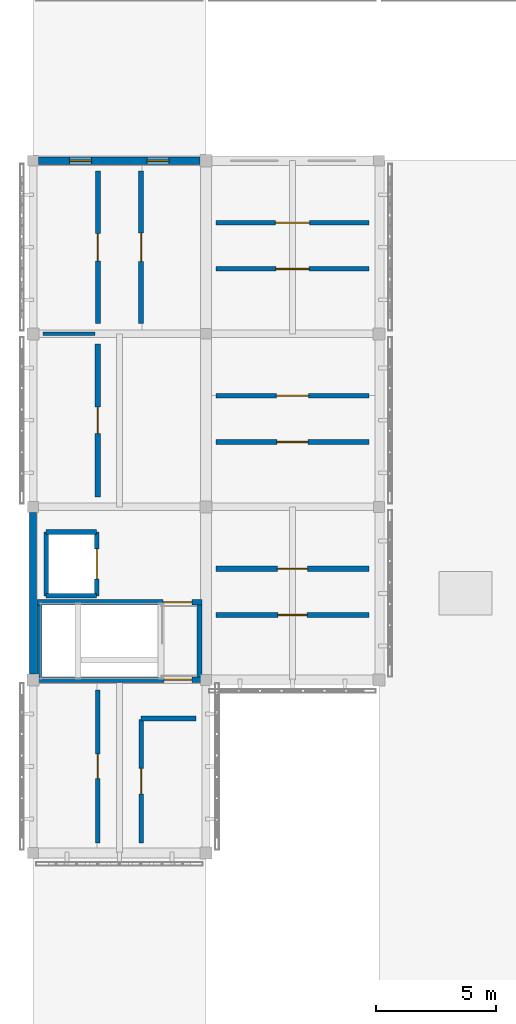
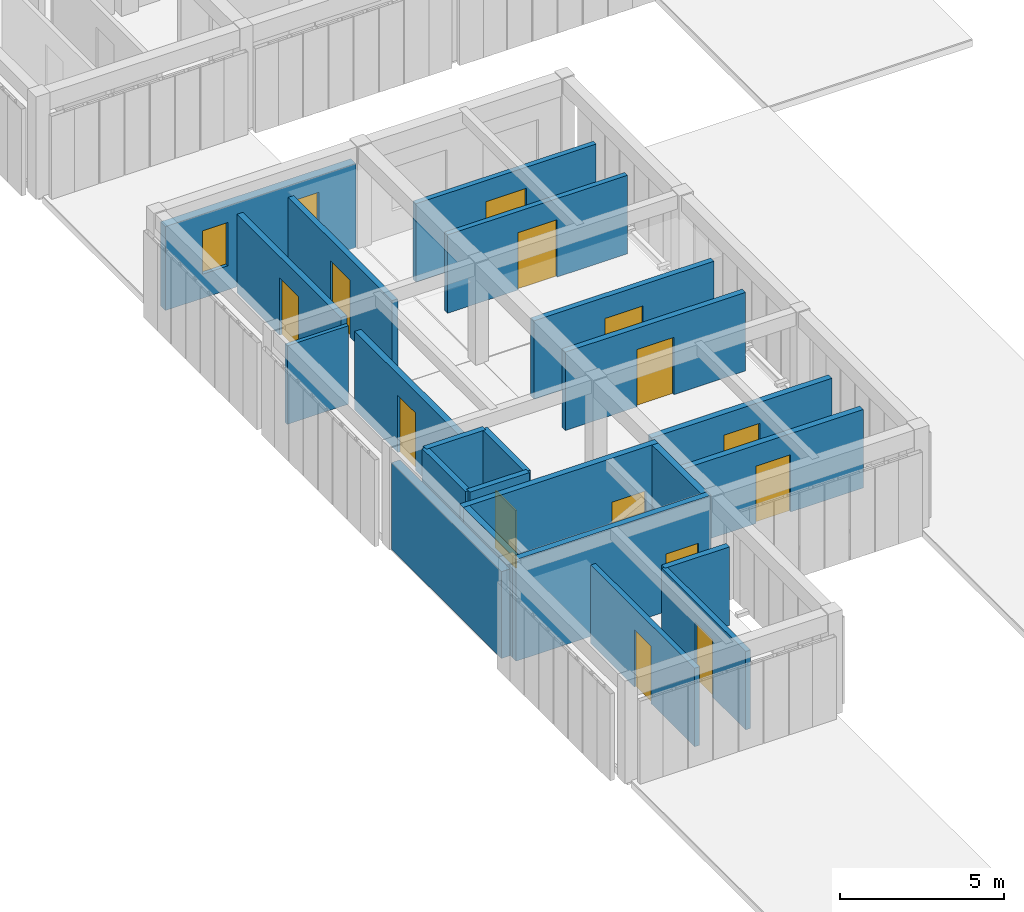
# One storey, part 52 of 67: 23 walls, 14 doors, 2 windows, 16 openings.
"""IFC4 building model written with IfcOpenShell, lengths in metres."""

from ifc_helpers import new_model, si_unit, direction, frame, frame_2d, origin, place, context, subcontext, project, spatial, rectangle, extrude, material, layer, layer_set, type_object, element, fill, save


model = new_model("IFC4")

# Units and contexts
model_context = context("Model", 3, precision=1e-05, world=origin(), true_north=direction((0.0, 1.0)))
body_context = subcontext(model_context, "Body", "Model", "MODEL_VIEW")
ifc_project = project(units=[si_unit("LENGTHUNIT", "METRE"), si_unit("AREAUNIT", "SQUARE_METRE"), si_unit("VOLUMEUNIT", "CUBIC_METRE"), si_unit("PLANEANGLEUNIT", "RADIAN"), si_unit("MASSUNIT", "GRAM", prefix="KILO")], contexts=[model_context])

# Site, building, storey
site_placement = place(None, origin())
site = spatial("IfcSite", under=ifc_project, at=site_placement, CompositionType="ELEMENT")
building_placement = place(site_placement, origin())
building = spatial("IfcBuilding", under=site, at=building_placement, Name="Aldebral Square Health Centre", CompositionType="ELEMENT")
storey_placement = place(building_placement, frame((0.0, 0.0, 13.5)))
storey = spatial("IfcBuildingStorey", under=building, at=storey_placement, Name="L03", CompositionType="ELEMENT", Elevation=13.5)

# Wall
ifc_material_1 = material(Name="Precast concrete C40/50 insulated panel", Category="concrete")
ifc_layer_1 = layer(ifc_material_1, 0.300048828125, Name="Precast concrete C40/50 insulated panel", Category="concrete")
ifc_layer_set_1 = layer_set([ifc_layer_1], Name="Precast concrete C40/50 insulated panel")
wall_type_1 = type_object("IfcWallType", Name="EW-PRE-300", PredefinedType="STANDARD", material=ifc_layer_set_1)
wall_1_placement = place(storey_placement, frame((0.0, 35.77490234375, 0.0), z_axis=(0.0, 0.0, 1.0), x_axis=(0.0, -1.0, 0.0)))
element("IfcWall", 1, at=wall_1_placement, inside=storey, type_object=wall_type_1, Name="L03 V6 exterior wall L03-V6-00-04-W", PredefinedType="STANDARD", context=body_context, shape_type="SweptSolid", body=[
    extrude(rectangle(XDim=6.724853515625, YDim=0.300048828125, at=frame_2d((3.3623046875, 0.0))), origin(), (0.0, 0.0, 1.0), 3.239990234375),
])

# Wall, openings, windows
wall_2_placement = place(storey_placement, frame((6.949951171875, 50.39990234375, 0.0), z_axis=(0.0, 0.0, 1.0), x_axis=(-1.0, 0.0, 0.0)))
wall_2 = element("IfcWall", 2, at=wall_2_placement, inside=storey, type_object=wall_type_1, Name="L03 V6 exterior wall L03-V6-00-06-N", PredefinedType="STANDARD", context=body_context, shape_type="SweptSolid", body=[
    extrude(rectangle(XDim=6.724853515625, YDim=0.300048828125, at=frame_2d((3.3623046875, 0.0))), origin(), (0.0, 0.0, 1.0), 3.139892578125),
])
opening_1_placement = place(wall_2_placement, frame((1.300048828125, 0.0, 0.89990234375)))
opening_1 = element("IfcOpeningElement", 3, at=opening_1_placement, cuts=wall_2, Name="Opening W28", PredefinedType="OPENING", context=body_context, shape_type="SweptSolid", body=[
    extrude(rectangle(XDim=0.89990234375, YDim=1.6201171875, at=frame_2d((0.449951171875, 0.81005859375))), frame((0.0, 0.16015625, 0.0), z_axis=(0.0, -1.0, 0.0), x_axis=(1.0, 0.0, 0.0)), (0.0, 0.0, 1.0), 0.320068359375),
])
opening_2_placement = place(wall_2_placement, frame((4.52490234375, 0.0, 0.89990234375)))
opening_2 = element("IfcOpeningElement", 4, at=opening_2_placement, cuts=wall_2, Name="Opening W28", PredefinedType="OPENING", context=body_context, shape_type="SweptSolid", body=[
    extrude(rectangle(XDim=0.89990234375, YDim=1.6201171875, at=frame_2d((0.449951171875, 0.81005859375))), frame((0.0, 0.16015625, 0.0), z_axis=(0.0, -1.0, 0.0), x_axis=(1.0, 0.0, 0.0)), (0.0, 0.0, 1.0), 0.320068359375),
])
ifc_material_2 = material(Name="Thermally broken aluminium and low-E glass", Category="aluminium")
window_type = type_object("IfcWindowType", Name="WIN-W28", PartitioningType="SINGLE_PANEL", PredefinedType="WINDOW", material=ifc_material_2)
window_1_placement = place(opening_1_placement, origin())
window_1 = element("IfcWindow", 5, at=window_1_placement, inside=storey, type_object=window_type, Name="L03 clinical window L03-V6-00-06-N.1", OverallHeight=1.6201171875, OverallWidth=0.89990234375, PartitioningType="SINGLE_PANEL", PredefinedType="WINDOW", context=body_context, shape_type="SweptSolid", body=[
    extrude(rectangle(XDim=0.89990234375, YDim=1.6201171875, at=frame_2d((0.449951171875, 0.81005859375))), frame((0.0, 0.030029296875, 0.0), z_axis=(0.0, -1.0, 0.0), x_axis=(1.0, 0.0, 0.0)), (0.0, 0.0, 1.0), 0.06005859375),
])
fill(opening_1, window_1)
window_2_placement = place(opening_2_placement, origin())
window_2 = element("IfcWindow", 6, at=window_2_placement, inside=storey, type_object=window_type, Name="L03 clinical window L03-V6-00-06-N.2", OverallHeight=1.6201171875, OverallWidth=0.89990234375, PartitioningType="SINGLE_PANEL", PredefinedType="WINDOW", context=body_context, shape_type="SweptSolid", body=[
    extrude(rectangle(XDim=0.89990234375, YDim=1.6201171875, at=frame_2d((0.449951171875, 0.81005859375))), frame((0.0, 0.030029296875, 0.0), z_axis=(0.0, -1.0, 0.0), x_axis=(1.0, 0.0, 0.0)), (0.0, 0.0, 1.0), 0.06005859375),
])
fill(opening_2, window_2)

# Wall, opening, door
ifc_material_3 = material(Name="Concrete C35/45 compartment wall", Category="concrete")
ifc_layer_2 = layer(ifc_material_3, 0.199951171875, Name="Concrete C35/45 compartment wall", Category="concrete")
ifc_layer_set_2 = layer_set([ifc_layer_2], Name="Concrete C35/45 compartment wall")
wall_type_2 = type_object("IfcWallType", Name="IW-CMP-200", PredefinedType="SOLIDWALL", material=ifc_layer_set_2)
wall_3_placement = place(storey_placement, frame((4.5, 43.6201171875, 0.0), z_axis=(0.0, 0.0, 1.0), x_axis=(0.0, 1.0, 0.0)))
wall_3 = element("IfcWall", 7, at=wall_3_placement, inside=storey, type_object=wall_type_2, Name="L03 Health Education Studio 1.7E corridor wall", PredefinedType="SOLIDWALL", context=body_context, shape_type="SweptSolid", body=[
    extrude(rectangle(XDim=6.35986328125, YDim=0.199951171875, at=frame_2d((3.179931640625, 0.0))), origin(), (0.0, 0.0, 1.0), 2.929931640625),
])
opening_3_placement = place(wall_3_placement, frame((2.590087890625, 0.0, 0.0)))
opening_3 = element("IfcOpeningElement", 8, at=opening_3_placement, cuts=wall_3, Name="Opening D-0606", PredefinedType="OPENING", context=body_context, shape_type="SweptSolid", body=[
    extrude(rectangle(XDim=1.179931640625, YDim=2.139892578125, at=frame_2d((0.58984375, 1.06982421875))), frame((0.0, 0.10986328125, 0.0), z_axis=(0.0, -1.0, 0.0), x_axis=(1.0, 0.0, 0.0)), (0.0, 0.0, 1.0), 0.219970703125),
])
ifc_material_4 = material(Name="Clinical suite fire door")
door_type_1 = type_object("IfcDoorType", Name="ID-EXD-39", OperationType="NOTDEFINED", PredefinedType="DOOR", material=ifc_material_4)
door_1_placement = place(opening_3_placement, origin())
door_1 = element("IfcDoor", 9, at=door_1_placement, inside=storey, type_object=door_type_1, Name="L03 Health Education Studio 1.7E door", OperationType="SINGLE_SWING_LEFT", OverallHeight=2.139892578125, OverallWidth=1.179931640625, PredefinedType="DOOR", context=body_context, shape_type="SweptSolid", body=[
    extrude(rectangle(XDim=1.179931640625, YDim=2.139892578125, at=frame_2d((0.58984375, 1.06982421875))), frame((0.0, 0.02490234375, 0.0), z_axis=(0.0, -1.0, 0.0), x_axis=(1.0, 0.0, 0.0)), (0.0, 0.0, 1.0), 0.050048828125),
])
fill(opening_3, door_1)

wall_4_placement = place(storey_placement, frame((7.6201171875, 40.6201171875, 0.0), z_axis=(0.0, 0.0, 1.0), x_axis=(1.0, 0.0, 0.0)))
wall_4 = element("IfcWall", 10, at=wall_4_placement, inside=storey, type_object=wall_type_2, Name="L03 Health Education Studio 2.6N corridor wall", PredefinedType="SOLIDWALL", context=body_context, shape_type="SweptSolid", body=[
    extrude(rectangle(XDim=6.35986328125, YDim=0.199951171875, at=frame_2d((3.179931640625, 0.0))), origin(), (0.0, 0.0, 1.0), 2.929931640625),
])
opening_4_placement = place(wall_4_placement, frame((2.510009765625, 0.0, 0.0)))
opening_4 = element("IfcOpeningElement", 11, at=opening_4_placement, cuts=wall_4, Name="Opening D-0610", PredefinedType="OPENING", context=body_context, shape_type="SweptSolid", body=[
    extrude(rectangle(XDim=1.340087890625, YDim=2.139892578125, at=frame_2d((0.669921875, 1.06982421875))), frame((0.0, 0.10986328125, 0.0), z_axis=(0.0, -1.0, 0.0), x_axis=(1.0, 0.0, 0.0)), (0.0, 0.0, 1.0), 0.219970703125),
])
door_type_2 = type_object("IfcDoorType", Name="ID-EXD-43", OperationType="NOTDEFINED", PredefinedType="DOOR", material=ifc_material_4)
door_2_placement = place(opening_4_placement, origin())
door_2 = element("IfcDoor", 12, at=door_2_placement, inside=storey, type_object=door_type_2, Name="L03 Health Education Studio 2.6N door", OperationType="SINGLE_SWING_LEFT", OverallHeight=2.139892578125, OverallWidth=1.340087890625, PredefinedType="DOOR", context=body_context, shape_type="SweptSolid", body=[
    extrude(rectangle(XDim=1.340087890625, YDim=2.139892578125, at=frame_2d((0.669921875, 1.06982421875))), frame((0.0, 0.02490234375, 0.0), z_axis=(0.0, -1.0, 0.0), x_axis=(1.0, 0.0, 0.0)), (0.0, 0.0, 1.0), 0.050048828125),
])
fill(opening_4, door_2)

ifc_layer_3 = layer(ifc_material_3, 0.219970703125, Name="Concrete C35/45 compartment wall", Category="concrete")
ifc_layer_set_3 = layer_set([ifc_layer_3], Name="Concrete C35/45 compartment wall")
wall_type_3 = type_object("IfcWallType", Name="IW-CMP-220", PredefinedType="SOLIDWALL", material=ifc_layer_set_3)
wall_5_placement = place(storey_placement, frame((2.699951171875, 36.419921875, 0.0), z_axis=(0.0, 0.0, 1.0), x_axis=(0.0, 1.0, 0.0)))
wall_5 = element("IfcWall", 13, at=wall_5_placement, inside=storey, type_object=wall_type_3, Name="L03 Community Outreach Office 1.6W corridor wall", PredefinedType="SOLIDWALL", context=body_context, shape_type="SweptSolid", body=[
    extrude(rectangle(XDim=6.360107421875, YDim=0.219970703125, at=frame_2d((3.18017578125, 0.0))), origin(), (0.0, 0.0, 1.0), 2.929931640625),
])
opening_5_placement = place(wall_5_placement, frame((2.6298828125, 0.0, 0.0)))
opening_5 = element("IfcOpeningElement", 14, at=opening_5_placement, cuts=wall_5, Name="Opening D-0604", PredefinedType="OPENING", context=body_context, shape_type="SweptSolid", body=[
    extrude(rectangle(XDim=1.10009765625, YDim=2.139892578125, at=frame_2d((0.550048828125, 1.06982421875))), frame((0.0, 0.1201171875, 0.0), z_axis=(0.0, -1.0, 0.0), x_axis=(1.0, 0.0, 0.0)), (0.0, 0.0, 1.0), 0.239990234375),
])
door_type_3 = type_object("IfcDoorType", Name="ID-EXD-37", OperationType="NOTDEFINED", PredefinedType="DOOR", material=ifc_material_4)
door_3_placement = place(opening_5_placement, origin())
door_3 = element("IfcDoor", 15, at=door_3_placement, inside=storey, type_object=door_type_3, Name="L03 Community Outreach Office 1.6W door", OperationType="SINGLE_SWING_LEFT", OverallHeight=2.139892578125, OverallWidth=1.10009765625, PredefinedType="DOOR", context=body_context, shape_type="SweptSolid", body=[
    extrude(rectangle(XDim=1.10009765625, YDim=2.139892578125, at=frame_2d((0.550048828125, 1.06982421875))), frame((0.0, 0.02490234375, 0.0), z_axis=(0.0, -1.0, 0.0), x_axis=(1.0, 0.0, 0.0)), (0.0, 0.0, 1.0), 0.050048828125),
])
fill(opening_5, door_3)

wall_6_placement = place(storey_placement, frame((7.6201171875, 31.5, 0.0), z_axis=(0.0, 0.0, 1.0), x_axis=(1.0, 0.0, 0.0)))
wall_6 = element("IfcWall", 16, at=wall_6_placement, inside=storey, type_object=wall_type_3, Name="L03 Medical Reference Library 2.5S corridor wall", PredefinedType="SOLIDWALL", context=body_context, shape_type="SweptSolid", body=[
    extrude(rectangle(XDim=6.35986328125, YDim=0.219970703125, at=frame_2d((3.179931640625, 0.0))), origin(), (0.0, 0.0, 1.0), 2.929931640625),
])
opening_6_placement = place(wall_6_placement, frame((2.570068359375, 0.0, 0.0)))
opening_6 = element("IfcOpeningElement", 17, at=opening_6_placement, cuts=wall_6, Name="Opening D-0607", PredefinedType="OPENING", context=body_context, shape_type="SweptSolid", body=[
    extrude(rectangle(XDim=1.219970703125, YDim=2.139892578125, at=frame_2d((0.60986328125, 1.06982421875))), frame((0.0, 0.1201171875, 0.0), z_axis=(0.0, -1.0, 0.0), x_axis=(1.0, 0.0, 0.0)), (0.0, 0.0, 1.0), 0.239990234375),
])
door_type_4 = type_object("IfcDoorType", Name="ID-EXD-40", OperationType="NOTDEFINED", PredefinedType="DOOR", material=ifc_material_4)
door_4_placement = place(opening_6_placement, origin())
door_4 = element("IfcDoor", 18, at=door_4_placement, inside=storey, type_object=door_type_4, Name="L03 Medical Reference Library 2.5S door", OperationType="SINGLE_SWING_RIGHT", OverallHeight=2.139892578125, OverallWidth=1.219970703125, PredefinedType="DOOR", context=body_context, shape_type="SweptSolid", body=[
    extrude(rectangle(XDim=1.219970703125, YDim=2.139892578125, at=frame_2d((0.60986328125, 1.06982421875))), frame((0.0, 0.02490234375, 0.0), z_axis=(0.0, -1.0, 0.0), x_axis=(1.0, 0.0, 0.0)), (0.0, 0.0, 1.0), 0.050048828125),
])
fill(opening_6, door_4)

wall_7_placement = place(storey_placement, frame((7.6201171875, 33.419921875, 0.0), z_axis=(0.0, 0.0, 1.0), x_axis=(1.0, 0.0, 0.0)))
wall_7 = element("IfcWall", 19, at=wall_7_placement, inside=storey, type_object=wall_type_3, Name="L03 Community Outreach Office 2.5N corridor wall", PredefinedType="SOLIDWALL", context=body_context, shape_type="SweptSolid", body=[
    extrude(rectangle(XDim=6.35986328125, YDim=0.219970703125, at=frame_2d((3.179931640625, 0.0))), origin(), (0.0, 0.0, 1.0), 2.929931640625),
])
opening_7_placement = place(wall_7_placement, frame((2.550048828125, 0.0, 0.0)))
opening_7 = element("IfcOpeningElement", 20, at=opening_7_placement, cuts=wall_7, Name="Opening D-0608", PredefinedType="OPENING", context=body_context, shape_type="SweptSolid", body=[
    extrude(rectangle(XDim=1.260009765625, YDim=2.139892578125, at=frame_2d((0.6298828125, 1.06982421875))), frame((0.0, 0.1201171875, 0.0), z_axis=(0.0, -1.0, 0.0), x_axis=(1.0, 0.0, 0.0)), (0.0, 0.0, 1.0), 0.239990234375),
])
door_type_5 = type_object("IfcDoorType", Name="ID-EXD-41", OperationType="NOTDEFINED", PredefinedType="DOOR", material=ifc_material_4)
door_5_placement = place(opening_7_placement, origin())
door_5 = element("IfcDoor", 21, at=door_5_placement, inside=storey, type_object=door_type_5, Name="L03 Community Outreach Office 2.5N door", OperationType="SINGLE_SWING_LEFT", OverallHeight=2.139892578125, OverallWidth=1.260009765625, PredefinedType="DOOR", context=body_context, shape_type="SweptSolid", body=[
    extrude(rectangle(XDim=1.260009765625, YDim=2.139892578125, at=frame_2d((0.6298828125, 1.06982421875))), frame((0.0, 0.02490234375, 0.0), z_axis=(0.0, -1.0, 0.0), x_axis=(1.0, 0.0, 0.0)), (0.0, 0.0, 1.0), 0.050048828125),
])
fill(opening_7, door_5)

ifc_material_5 = material(Name="Fire-rated acoustic gypsum partition")
ifc_layer_4 = layer(ifc_material_5, 0.179931640625, Name="Fire-rated acoustic gypsum partition")
ifc_layer_set_4 = layer_set([ifc_layer_4], Name="Fire-rated acoustic gypsum partition")
wall_type_4 = type_object("IfcWallType", Name="IW-COR-180", PredefinedType="PARTITIONING", material=ifc_layer_set_4)
wall_8_placement = place(storey_placement, frame((2.699951171875, 22.02001953125, 0.0), z_axis=(0.0, 0.0, 1.0), x_axis=(0.0, 1.0, 0.0)))
wall_8 = element("IfcWall", 22, at=wall_8_placement, inside=storey, type_object=wall_type_4, Name="L03 Health Education Studio 1.4W corridor wall", PredefinedType="PARTITIONING", context=body_context, shape_type="SweptSolid", body=[
    extrude(rectangle(XDim=6.35986328125, YDim=0.179931640625, at=frame_2d((3.179931640625, 0.0))), origin(), (0.0, 0.0, 1.0), 2.929931640625),
])
opening_8_placement = place(wall_8_placement, frame((2.669921875, 0.0, 0.0)))
opening_8 = element("IfcOpeningElement", 23, at=opening_8_placement, cuts=wall_8, Name="Opening D-0602", PredefinedType="OPENING", context=body_context, shape_type="SweptSolid", body=[
    extrude(rectangle(XDim=1.02001953125, YDim=2.139892578125, at=frame_2d((0.510009765625, 1.06982421875))), frame((0.0, 0.10009765625, 0.0), z_axis=(0.0, -1.0, 0.0), x_axis=(1.0, 0.0, 0.0)), (0.0, 0.0, 1.0), 0.199951171875),
])
door_type_6 = type_object("IfcDoorType", Name="ID-EXD-35", OperationType="NOTDEFINED", PredefinedType="DOOR", material=ifc_material_4)
door_6_placement = place(opening_8_placement, origin())
door_6 = element("IfcDoor", 24, at=door_6_placement, inside=storey, type_object=door_type_6, Name="L03 Health Education Studio 1.4W door", OperationType="SINGLE_SWING_LEFT", OverallHeight=2.139892578125, OverallWidth=1.02001953125, PredefinedType="DOOR", context=body_context, shape_type="SweptSolid", body=[
    extrude(rectangle(XDim=1.02001953125, YDim=2.139892578125, at=frame_2d((0.510009765625, 1.06982421875))), frame((0.0, 0.02490234375, 0.0), z_axis=(0.0, -1.0, 0.0), x_axis=(1.0, 0.0, 0.0)), (0.0, 0.0, 1.0), 0.050048828125),
])
fill(opening_8, door_6)

wall_9_placement = place(storey_placement, frame((4.5, 22.02001953125, 0.0), z_axis=(0.0, 0.0, 1.0), x_axis=(0.0, 1.0, 0.0)))
wall_9 = element("IfcWall", 25, at=wall_9_placement, inside=storey, type_object=wall_type_4, Name="L03 Medical Reference Library 1.4E corridor wall", PredefinedType="PARTITIONING", context=body_context, shape_type="SweptSolid", body=[
    extrude(rectangle(XDim=5.1298828125, YDim=0.179931640625, at=frame_2d((2.56494140625, 0.0))), origin(), (0.0, 0.0, 1.0), 2.929931640625),
])
opening_9_placement = place(wall_9_placement, frame((2.034912109375, 0.0, 0.0)))
opening_9 = element("IfcOpeningElement", 26, at=opening_9_placement, cuts=wall_9, Name="Opening D-0603", PredefinedType="OPENING", context=body_context, shape_type="SweptSolid", body=[
    extrude(rectangle(XDim=1.06005859375, YDim=2.139892578125, at=frame_2d((0.530029296875, 1.06982421875))), frame((0.0, 0.10009765625, 0.0), z_axis=(0.0, -1.0, 0.0), x_axis=(1.0, 0.0, 0.0)), (0.0, 0.0, 1.0), 0.199951171875),
])
door_type_7 = type_object("IfcDoorType", Name="ID-EXD-36", OperationType="NOTDEFINED", PredefinedType="DOOR", material=ifc_material_4)
door_7_placement = place(opening_9_placement, origin())
door_7 = element("IfcDoor", 27, at=door_7_placement, inside=storey, type_object=door_type_7, Name="L03 Medical Reference Library 1.4E door", OperationType="SINGLE_SWING_RIGHT", OverallHeight=2.139892578125, OverallWidth=1.06005859375, PredefinedType="DOOR", context=body_context, shape_type="SweptSolid", body=[
    extrude(rectangle(XDim=1.06005859375, YDim=2.139892578125, at=frame_2d((0.530029296875, 1.06982421875))), frame((0.0, 0.02490234375, 0.0), z_axis=(0.0, -1.0, 0.0), x_axis=(1.0, 0.0, 0.0)), (0.0, 0.0, 1.0), 0.050048828125),
])
fill(opening_9, door_7)

wall_10_placement = place(storey_placement, frame((7.6201171875, 45.89990234375, 0.0), z_axis=(0.0, 0.0, 1.0), x_axis=(1.0, 0.0, 0.0)))
wall_10 = element("IfcWall", 28, at=wall_10_placement, inside=storey, type_object=wall_type_4, Name="L03 Medical Reference Library 2.7S corridor wall", PredefinedType="PARTITIONING", context=body_context, shape_type="SweptSolid", body=[
    extrude(rectangle(XDim=6.35986328125, YDim=0.179931640625, at=frame_2d((3.179931640625, 0.0))), origin(), (0.0, 0.0, 1.0), 2.929931640625),
])
opening_10_placement = place(wall_10_placement, frame((2.489990234375, 0.0, 0.0)))
opening_10 = element("IfcOpeningElement", 29, at=opening_10_placement, cuts=wall_10, Name="Opening D-0611", PredefinedType="OPENING", context=body_context, shape_type="SweptSolid", body=[
    extrude(rectangle(XDim=1.3798828125, YDim=2.139892578125, at=frame_2d((0.68994140625, 1.06982421875))), frame((0.0, 0.10009765625, 0.0), z_axis=(0.0, -1.0, 0.0), x_axis=(1.0, 0.0, 0.0)), (0.0, 0.0, 1.0), 0.199951171875),
])
door_type_8 = type_object("IfcDoorType", Name="ID-EXD-44", OperationType="NOTDEFINED", PredefinedType="DOOR", material=ifc_material_4)
door_8_placement = place(opening_10_placement, origin())
door_8 = element("IfcDoor", 30, at=door_8_placement, inside=storey, type_object=door_type_8, Name="L03 Medical Reference Library 2.7S door", OperationType="SINGLE_SWING_RIGHT", OverallHeight=2.139892578125, OverallWidth=1.3798828125, PredefinedType="DOOR", context=body_context, shape_type="SweptSolid", body=[
    extrude(rectangle(XDim=1.3798828125, YDim=2.139892578125, at=frame_2d((0.68994140625, 1.06982421875))), frame((0.0, 0.02490234375, 0.0), z_axis=(0.0, -1.0, 0.0), x_axis=(1.0, 0.0, 0.0)), (0.0, 0.0, 1.0), 0.050048828125),
])
fill(opening_10, door_8)

wall_11_placement = place(storey_placement, frame((7.6201171875, 47.820068359375, 0.0), z_axis=(0.0, 0.0, 1.0), x_axis=(1.0, 0.0, 0.0)))
wall_11 = element("IfcWall", 31, at=wall_11_placement, inside=storey, type_object=wall_type_4, Name="L03 Community Outreach Office 2.7N corridor wall", PredefinedType="PARTITIONING", context=body_context, shape_type="SweptSolid", body=[
    extrude(rectangle(XDim=6.35986328125, YDim=0.179931640625, at=frame_2d((3.179931640625, 0.0))), origin(), (0.0, 0.0, 1.0), 2.929931640625),
])
opening_11_placement = place(wall_11_placement, frame((2.469970703125, 0.0, 0.0)))
opening_11 = element("IfcOpeningElement", 32, at=opening_11_placement, cuts=wall_11, Name="Opening D-0612", PredefinedType="OPENING", context=body_context, shape_type="SweptSolid", body=[
    extrude(rectangle(XDim=1.419921875, YDim=2.139892578125, at=frame_2d((0.7099609375, 1.06982421875))), frame((0.0, 0.10009765625, 0.0), z_axis=(0.0, -1.0, 0.0), x_axis=(1.0, 0.0, 0.0)), (0.0, 0.0, 1.0), 0.199951171875),
])
door_type_9 = type_object("IfcDoorType", Name="ID-EXD-45", OperationType="NOTDEFINED", PredefinedType="DOOR", material=ifc_material_4)
door_9_placement = place(opening_11_placement, origin())
door_9 = element("IfcDoor", 33, at=door_9_placement, inside=storey, type_object=door_type_9, Name="L03 Community Outreach Office 2.7N door", OperationType="SINGLE_SWING_LEFT", OverallHeight=2.139892578125, OverallWidth=1.419921875, PredefinedType="DOOR", context=body_context, shape_type="SweptSolid", body=[
    extrude(rectangle(XDim=1.419921875, YDim=2.139892578125, at=frame_2d((0.7099609375, 1.06982421875))), frame((0.0, 0.02490234375, 0.0), z_axis=(0.0, -1.0, 0.0), x_axis=(1.0, 0.0, 0.0)), (0.0, 0.0, 1.0), 0.050048828125),
])
fill(opening_11, door_9)

ifc_material_6 = material(Name="Concrete C40/50", Category="concrete")
ifc_layer_5 = layer(ifc_material_6, 0.219970703125, Name="Concrete C40/50", Category="concrete")
ifc_layer_set_5 = layer_set([ifc_layer_5], Name="Concrete C40/50")
wall_type_5 = type_object("IfcWallType", Name="IW-CORE-280", PredefinedType="SHEAR", material=ifc_layer_set_5)
wall_12_placement = place(storey_placement, frame((0.159912109375, 28.81005859375, 0.0), z_axis=(0.0, 0.0, 1.0), x_axis=(1.0, 0.0, 0.0)))
wall_12 = element("IfcWall", 34, at=wall_12_placement, inside=storey, type_object=wall_type_5, Name="L03 WC-C5 shaft wall S", PredefinedType="SHEAR", context=body_context, shape_type="SweptSolid", body=[
    extrude(rectangle(XDim=6.880126953125, YDim=0.219970703125, at=frame_2d((3.43994140625, 0.0))), origin(), (0.0, 0.0, 1.0), 3.7900390625),
])
opening_12_placement = place(wall_12_placement, frame((5.300048828125, 0.0, 0.0)))
opening_12 = element("IfcOpeningElement", 35, at=opening_12_placement, cuts=wall_12, Name="Opening D-0063", PredefinedType="OPENING", context=body_context, shape_type="SweptSolid", body=[
    extrude(rectangle(XDim=1.14990234375, YDim=2.14990234375, at=frame_2d((0.574951171875, 1.074951171875))), frame((0.0, 0.1201171875, 0.0), z_axis=(0.0, -1.0, 0.0), x_axis=(1.0, 0.0, 0.0)), (0.0, 0.0, 1.0), 0.239990234375),
])
ifc_material_7 = material(Name="Fire-rated steel lobby stair door", Category="steel")
door_type_10 = type_object("IfcDoorType", Name="ID-ST-115", OperationType="NOTDEFINED", PredefinedType="DOOR", material=ifc_material_7)
door_10_placement = place(opening_12_placement, origin())
door_10 = element("IfcDoor", 36, at=door_10_placement, inside=storey, type_object=door_type_10, Name="L03 ST-05 south lobby fire door", OperationType="SINGLE_SWING_LEFT", OverallHeight=2.14990234375, OverallWidth=1.14990234375, PredefinedType="DOOR", context=body_context, shape_type="SweptSolid", body=[
    extrude(rectangle(XDim=1.14990234375, YDim=2.14990234375, at=frame_2d((0.574951171875, 1.074951171875))), frame((0.0, 0.02490234375, 0.0), z_axis=(0.0, -1.0, 0.0), x_axis=(1.0, 0.0, 0.0)), (0.0, 0.0, 1.0), 0.050048828125),
])
fill(opening_12, door_10)

wall_13_placement = place(storey_placement, frame((0.159912109375, 32.030029296875, 0.0), z_axis=(0.0, 0.0, 1.0), x_axis=(1.0, 0.0, 0.0)))
wall_13 = element("IfcWall", 37, at=wall_13_placement, inside=storey, type_object=wall_type_5, Name="L03 WC-C5 shaft wall N", PredefinedType="SHEAR", context=body_context, shape_type="SweptSolid", body=[
    extrude(rectangle(XDim=6.880126953125, YDim=0.219970703125, at=frame_2d((3.43994140625, 0.0))), origin(), (0.0, 0.0, 1.0), 3.7900390625),
])
opening_13_placement = place(wall_13_placement, frame((5.25, 0.0, 0.0)))
opening_13 = element("IfcOpeningElement", 38, at=opening_13_placement, cuts=wall_13, Name="Opening D-0062", PredefinedType="OPENING", context=body_context, shape_type="SweptSolid", body=[
    extrude(rectangle(XDim=1.199951171875, YDim=2.14990234375, at=frame_2d((0.60009765625, 1.074951171875))), frame((0.0, 0.1201171875, 0.0), z_axis=(0.0, -1.0, 0.0), x_axis=(1.0, 0.0, 0.0)), (0.0, 0.0, 1.0), 0.239990234375),
])
ifc_material_8 = material(Name="Fire-rated steel stair door", Category="steel")
door_type_11 = type_object("IfcDoorType", Name="ID-ST-120", OperationType="NOTDEFINED", PredefinedType="DOOR", material=ifc_material_8)
door_11_placement = place(opening_13_placement, origin())
door_11 = element("IfcDoor", 39, at=door_11_placement, inside=storey, type_object=door_type_11, Name="L03 ST-05 fire door", OperationType="SINGLE_SWING_LEFT", OverallHeight=2.14990234375, OverallWidth=1.199951171875, PredefinedType="DOOR", context=body_context, shape_type="SweptSolid", body=[
    extrude(rectangle(XDim=1.199951171875, YDim=2.14990234375, at=frame_2d((0.60009765625, 1.074951171875))), frame((0.0, 0.02490234375, 0.0), z_axis=(0.0, -1.0, 0.0), x_axis=(1.0, 0.0, 0.0)), (0.0, 0.0, 1.0), 0.050048828125),
])
fill(opening_13, door_11)

# Walls
for number, where, z_axis, x_axis, name in (
    (40, (0.27001953125, 28.919921875, 0.0), (0.0, 0.0, 1.0), (0.0, 1.0, 0.0), "L03 WC-C5 shaft wall W"),
    (41, (6.929931640625, 28.919921875, 0.0), (0.0, 0.0, 1.0), (0.0, 1.0, 0.0), "L03 WC-C5 shaft wall E"),
):
    element("IfcWall", number, at=place(storey_placement, frame(where, z_axis=z_axis, x_axis=x_axis)), inside=storey, type_object=wall_type_5, Name=name, PredefinedType="SHEAR", context=body_context, shape_type="SweptSolid", body=[
        extrude(rectangle(XDim=3.0, YDim=0.219970703125, at=frame_2d((1.5, 0.0))), origin(), (0.0, 0.0, 1.0), 3.7900390625),
    ])
ifc_layer_6 = layer(ifc_material_6, 0.199951171875, Name="Concrete C40/50", Category="concrete")
ifc_layer_set_6 = layer_set([ifc_layer_6], Name="Concrete C40/50")
wall_type_6 = type_object("IfcWallType", Name="IW-LFT-250", PredefinedType="SHEAR", material=ifc_layer_set_6)
wall_14_placement = place(storey_placement, frame((0.550048828125, 32.300048828125, 0.0), z_axis=(0.0, 0.0, 1.0), x_axis=(1.0, 0.0, 0.0)))
element("IfcWall", 42, at=wall_14_placement, inside=storey, type_object=wall_type_6, Name="L03 LF-05 shaft wall S", PredefinedType="SHEAR", context=body_context, shape_type="SweptSolid", body=[
    extrude(rectangle(XDim=2.099853515625, YDim=0.199951171875, at=frame_2d((1.0498046875, 0.0))), origin(), (0.0, 0.0, 1.0), 4.050048828125),
])
wall_15_placement = place(storey_placement, frame((0.550048828125, 32.300048828125, 0.0), z_axis=(0.0, 0.0, 1.0), x_axis=(0.0, 1.0, 0.0)))
element("IfcWall", 43, at=wall_15_placement, inside=storey, type_object=wall_type_6, Name="L03 LF-05 shaft wall W", PredefinedType="SHEAR", context=body_context, shape_type="SweptSolid", body=[
    extrude(rectangle(XDim=2.64990234375, YDim=0.199951171875, at=frame_2d((1.324951171875, 0.0))), origin(), (0.0, 0.0, 1.0), 4.050048828125),
])
wall_16_placement = place(storey_placement, frame((0.550048828125, 34.949951171875, 0.0), z_axis=(0.0, 0.0, 1.0), x_axis=(1.0, 0.0, 0.0)))
element("IfcWall", 44, at=wall_16_placement, inside=storey, type_object=wall_type_6, Name="L03 LF-05 shaft wall N", PredefinedType="SHEAR", context=body_context, shape_type="SweptSolid", body=[
    extrude(rectangle(XDim=2.099853515625, YDim=0.199951171875, at=frame_2d((1.0498046875, 0.0))), origin(), (0.0, 0.0, 1.0), 4.050048828125),
])

# Wall, opening, door
wall_17_placement = place(storey_placement, frame((2.64990234375, 32.300048828125, 0.0), z_axis=(0.0, 0.0, 1.0), x_axis=(0.0, 1.0, 0.0)))
wall_17 = element("IfcWall", 45, at=wall_17_placement, inside=storey, type_object=wall_type_6, Name="L03 LF-05 landing wall", PredefinedType="SHEAR", context=body_context, shape_type="SweptSolid", body=[
    extrude(rectangle(XDim=2.64990234375, YDim=0.199951171875, at=frame_2d((1.324951171875, 0.0))), origin(), (0.0, 0.0, 1.0), 4.050048828125),
])
opening_14_placement = place(wall_17_placement, frame((0.699951171875, 0.0, 0.0)))
opening_14 = element("IfcOpeningElement", 46, at=opening_14_placement, cuts=wall_17, Name="Opening D-0064", PredefinedType="OPENING", context=body_context, shape_type="SweptSolid", body=[
    extrude(rectangle(XDim=1.25, YDim=2.14990234375, at=frame_2d((0.625, 1.074951171875))), frame((0.0, 0.10986328125, 0.0), z_axis=(0.0, -1.0, 0.0), x_axis=(1.0, 0.0, 0.0)), (0.0, 0.0, 1.0), 0.219970703125),
])
ifc_material_9 = material(Name="Stainless steel surgical lift landing door", Category="steel")
door_type_12 = type_object("IfcDoorType", Name="ID-LD-125", OperationType="SLIDING_TO_LEFT", PredefinedType="DOOR", material=ifc_material_9)
door_12_placement = place(opening_14_placement, origin())
door_12 = element("IfcDoor", 47, at=door_12_placement, inside=storey, type_object=door_type_12, Name="L03 LF-05 sliding landing door", OperationType="SLIDING_TO_LEFT", OverallHeight=2.14990234375, OverallWidth=1.25, PredefinedType="DOOR", context=body_context, shape_type="SweptSolid", body=[
    extrude(rectangle(XDim=1.25, YDim=2.14990234375, at=frame_2d((0.625, 1.074951171875))), frame((0.0, 0.02490234375, 0.0), z_axis=(0.0, -1.0, 0.0), x_axis=(1.0, 0.0, 0.0)), (0.0, 0.0, 1.0), 0.050048828125),
])
fill(opening_14, door_12)

# Wall
ifc_material_10 = material(Name="Moisture-resistant sanitary chase wall")
ifc_layer_7 = layer(ifc_material_10, 0.2099609375, Name="Moisture-resistant sanitary chase wall")
ifc_layer_set_7 = layer_set([ifc_layer_7], Name="Moisture-resistant sanitary chase wall")
wall_type_7 = type_object("IfcWallType", Name="IW-PLB-210", PredefinedType="PLUMBINGWALL", material=ifc_layer_set_7)
wall_18_placement = place(storey_placement, frame((4.5, 27.199951171875, 0.0), z_axis=(0.0, 0.0, 1.0), x_axis=(1.0, 0.0, 0.0)))
element("IfcWall", 48, at=wall_18_placement, inside=storey, type_object=wall_type_7, Name="L03 Medical Reference Library 1.4E lobby return wall", PredefinedType="PLUMBINGWALL", context=body_context, shape_type="SweptSolid", body=[
    extrude(rectangle(XDim=2.280029296875, YDim=0.2099609375, at=frame_2d((1.14013671875, 0.0))), origin(), (0.0, 0.0, 1.0), 2.929931640625),
])

# Wall, opening, door
wall_19_placement = place(storey_placement, frame((2.699951171875, 43.6201171875, 0.0), z_axis=(0.0, 0.0, 1.0), x_axis=(0.0, 1.0, 0.0)))
wall_19 = element("IfcWall", 49, at=wall_19_placement, inside=storey, type_object=wall_type_7, Name="L03 Accessible WC 1.7W corridor wall", PredefinedType="PLUMBINGWALL", context=body_context, shape_type="SweptSolid", body=[
    extrude(rectangle(XDim=6.35986328125, YDim=0.2099609375, at=frame_2d((3.179931640625, 0.0))), origin(), (0.0, 0.0, 1.0), 2.929931640625),
])
opening_15_placement = place(wall_19_placement, frame((2.610107421875, 0.0, 0.0)))
opening_15 = element("IfcOpeningElement", 50, at=opening_15_placement, cuts=wall_19, Name="Opening D-0605", PredefinedType="OPENING", context=body_context, shape_type="SweptSolid", body=[
    extrude(rectangle(XDim=1.139892578125, YDim=2.139892578125, at=frame_2d((0.56982421875, 1.06982421875))), frame((0.0, 0.114990234375, 0.0), z_axis=(0.0, -1.0, 0.0), x_axis=(1.0, 0.0, 0.0)), (0.0, 0.0, 1.0), 0.22998046875),
])
door_type_13 = type_object("IfcDoorType", Name="ID-EXD-38", OperationType="NOTDEFINED", PredefinedType="DOOR", material=ifc_material_4)
door_13_placement = place(opening_15_placement, origin())
door_13 = element("IfcDoor", 51, at=door_13_placement, inside=storey, type_object=door_type_13, Name="L03 Accessible WC 1.7W door", OperationType="SINGLE_SWING_RIGHT", OverallHeight=2.139892578125, OverallWidth=1.139892578125, PredefinedType="DOOR", context=body_context, shape_type="SweptSolid", body=[
    extrude(rectangle(XDim=1.139892578125, YDim=2.139892578125, at=frame_2d((0.56982421875, 1.06982421875))), frame((0.0, 0.02490234375, 0.0), z_axis=(0.0, -1.0, 0.0), x_axis=(1.0, 0.0, 0.0)), (0.0, 0.0, 1.0), 0.050048828125),
])
fill(opening_15, door_13)

wall_20_placement = place(storey_placement, frame((7.6201171875, 38.699951171875, 0.0), z_axis=(0.0, 0.0, 1.0), x_axis=(1.0, 0.0, 0.0)))
wall_20 = element("IfcWall", 52, at=wall_20_placement, inside=storey, type_object=wall_type_7, Name="L03 Accessible WC 2.6S corridor wall", PredefinedType="PLUMBINGWALL", context=body_context, shape_type="SweptSolid", body=[
    extrude(rectangle(XDim=6.35986328125, YDim=0.2099609375, at=frame_2d((3.179931640625, 0.0))), origin(), (0.0, 0.0, 1.0), 2.929931640625),
])
opening_16_placement = place(wall_20_placement, frame((2.530029296875, 0.0, 0.0)))
opening_16 = element("IfcOpeningElement", 53, at=opening_16_placement, cuts=wall_20, Name="Opening D-0609", PredefinedType="OPENING", context=body_context, shape_type="SweptSolid", body=[
    extrude(rectangle(XDim=1.300048828125, YDim=2.139892578125, at=frame_2d((0.64990234375, 1.06982421875))), frame((0.0, 0.114990234375, 0.0), z_axis=(0.0, -1.0, 0.0), x_axis=(1.0, 0.0, 0.0)), (0.0, 0.0, 1.0), 0.22998046875),
])
door_type_14 = type_object("IfcDoorType", Name="ID-EXD-42", OperationType="NOTDEFINED", PredefinedType="DOOR", material=ifc_material_4)
door_14_placement = place(opening_16_placement, origin())
door_14 = element("IfcDoor", 54, at=door_14_placement, inside=storey, type_object=door_type_14, Name="L03 Accessible WC 2.6S door", OperationType="SINGLE_SWING_RIGHT", OverallHeight=2.139892578125, OverallWidth=1.300048828125, PredefinedType="DOOR", context=body_context, shape_type="SweptSolid", body=[
    extrude(rectangle(XDim=1.300048828125, YDim=2.139892578125, at=frame_2d((0.64990234375, 1.06982421875))), frame((0.0, 0.02490234375, 0.0), z_axis=(0.0, -1.0, 0.0), x_axis=(1.0, 0.0, 0.0)), (0.0, 0.0, 1.0), 0.050048828125),
])
fill(opening_16, door_14)

# Wall
ifc_material_11 = material(Name="Acoustic clinical gypsum partition")
ifc_layer_8 = layer(ifc_material_11, 0.135009765625, Name="Acoustic clinical gypsum partition")
ifc_layer_set_8 = layer_set([ifc_layer_8], Name="Acoustic clinical gypsum partition")
wall_type_8 = type_object("IfcWallType", Name="IW-PRT-135", PredefinedType="PARTITIONING", material=ifc_layer_set_8)
wall_21_placement = place(storey_placement, frame((0.419921875, 43.199951171875, 0.0), z_axis=(0.0, 0.0, 1.0), x_axis=(1.0, 0.0, 0.0)))
element("IfcWall", 55, at=wall_21_placement, inside=storey, type_object=wall_type_8, Name="L03 Community Outreach Office 1.6W demising partition", PredefinedType="PARTITIONING", context=body_context, shape_type="SweptSolid", body=[
    extrude(rectangle(XDim=2.16015625, YDim=0.135009765625, at=frame_2d((1.080078125, 0.0))), origin(), (0.0, 0.0, 1.0), 2.929931640625),
])

save(model, "model.ifc")
